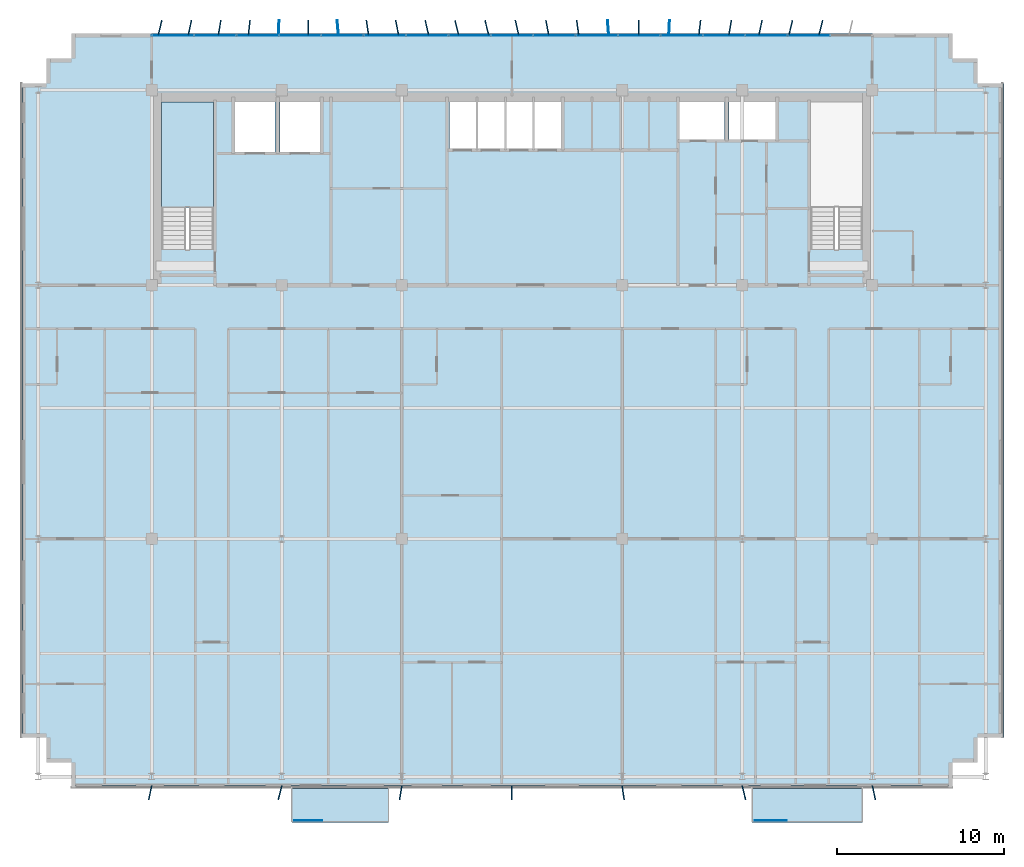
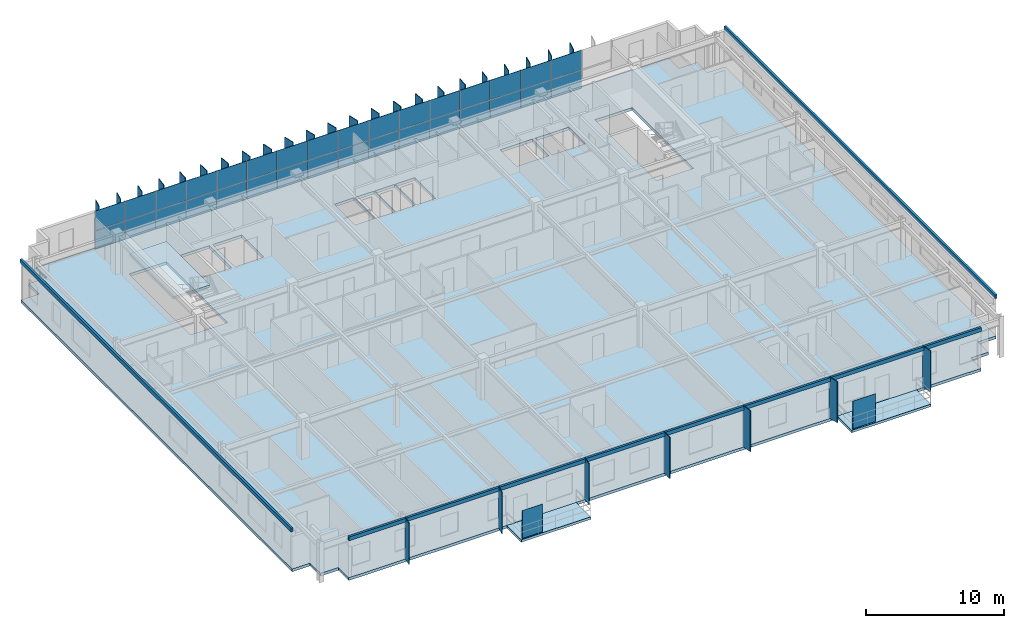
# One storey, part 13 of 21: 67 plates, 4 slabs, 2 elements without a shape of their own.
"""IFC4 building model written with IfcOpenShell, lengths in metres."""

from ifc_helpers import new_model, si_unit, direction, frame, origin, origin_2d, place, context, subcontext, project, spatial, polyline, rectangle, outline, extrude, source, transform, mapped, material, layer, layer_set, type_object, element, aggregate, save


model = new_model("IFC4")

# Units and contexts
model_context = context("Model", 3, precision=1e-05, world=origin(), true_north=direction((0.0, 1.0)))
body_context = subcontext(model_context, "Body", "Model", "MODEL_VIEW")
ifc_project = project(units=[si_unit("LENGTHUNIT", "METRE"), si_unit("AREAUNIT", "SQUARE_METRE"), si_unit("VOLUMEUNIT", "CUBIC_METRE"), si_unit("PLANEANGLEUNIT", "RADIAN"), si_unit("MASSUNIT", "GRAM", prefix="KILO")], contexts=[model_context])

# Site, building, storey
site_placement = place(None, origin())
site = spatial("IfcSite", under=ifc_project, at=site_placement, CompositionType="ELEMENT")
building_placement = place(site_placement, origin())
building = spatial("IfcBuilding", under=site, at=building_placement, Name="Trelvane Seafront Commons", CompositionType="ELEMENT")
storey_placement = place(building_placement, frame((0.0, 0.0, 160.89990234375)))
storey = spatial("IfcBuildingStorey", under=building, at=storey_placement, Name="L42", CompositionType="ELEMENT", Elevation=160.89990234375)

# Slabs
ifc_material_1 = material(Name="Concrete C40/50", Category="concrete")
ifc_layer_1 = layer(ifc_material_1, 0.219970703125, Name="ARCH-BALC-220")
ifc_layer_set_1 = layer_set([ifc_layer_1], Name="Concrete C40/50")
slab_type_1 = type_object("IfcSlabType", Name="ARCH-BALC-220", PredefinedType="FLOOR", material=ifc_layer_set_1)
slab_1_placement = place(storey_placement, frame((0.0, 0.0, -0.219970703125)))
element("IfcSlab", 1, at=slab_1_placement, inside=storey, type_object=slab_type_1, Name="L42 Cantilevered Tree Balcony Loggia 2", PredefinedType="FLOOR", context=body_context, shape_type="SweptSolid", body=[
    extrude(outline(polyline([(24.0, 1.199951171875), (29.800048828125, 1.199951171875), (29.800048828125, 3.300048828125), (24.0, 3.300048828125), (24.0, 1.199951171875)])), origin(), (0.0, 0.0, 1.0), 0.219970703125),
])
slab_2_placement = place(storey_placement, frame((0.0, 0.0, -0.219970703125)))
element("IfcSlab", 2, at=slab_2_placement, inside=storey, type_object=slab_type_1, Name="L42 Cantilevered Tree Balcony Loggia 3", PredefinedType="FLOOR", context=body_context, shape_type="SweptSolid", body=[
    extrude(outline(polyline([(51.60009765625, 1.199951171875), (58.199951171875, 1.199951171875), (58.199951171875, 3.300048828125), (51.60009765625, 3.300048828125), (51.60009765625, 1.199951171875)])), origin(), (0.0, 0.0, 1.0), 0.219970703125),
])

# Stair, slab
stair_type = type_object("IfcStairType", Name="ARCH-STR-ST-1-R20-180", PredefinedType="HALF_TURN_STAIR", material=ifc_material_1)
stair_placement = place(storey_placement, origin())
stair = element("IfcStair", 3, at=stair_placement, inside=storey, type_object=stair_type, Name="L42 West Protected Firefighting Exit Stair ST-1", PredefinedType="HALF_TURN_STAIR")
ifc_layer_2 = layer(ifc_material_1, 0.199951171875, Name="ARCH-LND-200")
ifc_layer_set_2 = layer_set([ifc_layer_2], Name="Concrete C40/50")
slab_type_2 = type_object("IfcSlabType", Name="ARCH-LND-200", PredefinedType="LANDING", material=ifc_layer_set_2)
slab_3_placement = place(storey_placement, frame((0.0, 0.0, 1.60009765625)))
slab_3 = element("IfcSlab", 4, at=slab_3_placement, type_object=slab_type_2, Name="ST-1 landing 1", PredefinedType="LANDING", context=body_context, shape_type="SweptSolid", body=[
    extrude(outline(polyline([(19.300048828125, 38.070068359375), (19.300048828125, 44.39990234375), (16.199951171875, 44.39990234375), (16.199951171875, 38.070068359375), (19.300048828125, 38.070068359375)])), origin(), (0.0, 0.0, 1.0), 0.199951171875),
])
aggregate(stair, [slab_3])

# Slab
ifc_material_2 = material(Name="Concrete C50/60", Category="concrete")
ifc_layer_3 = layer(ifc_material_2, 0.25, Name="STR-SLB-Z3-250")
ifc_layer_set_3 = layer_set([ifc_layer_3], Name="Concrete C50/60")
slab_type_3 = type_object("IfcSlabType", Name="STR-SLB-Z3-250", PredefinedType="FLOOR", material=ifc_layer_set_3)
slab_4_placement = place(storey_placement, frame((0.0, 0.0, -0.25)))
element("IfcSlab", 5, at=slab_4_placement, inside=storey, type_object=slab_type_3, Name="L42 Structural Floor Slab", PredefinedType="FLOOR", context=body_context, shape_type="SweptSolid", body=[
    extrude(outline(polyline([(10.800048828125, 3.300048828125), (63.60009765625, 3.300048828125), (63.60009765625, 4.800048828125), (65.10009765625, 4.800048828125), (65.10009765625, 6.300048828125), (66.60009765625, 6.300048828125), (66.60009765625, 45.5), (65.10009765625, 45.5), (65.10009765625, 47.0), (63.60009765625, 47.0), (63.60009765625, 48.5), (10.800048828125, 48.5), (10.800048828125, 47.0), (9.300048828125, 47.0), (9.300048828125, 45.5), (7.800048828125, 45.5), (7.800048828125, 6.300048828125), (9.300048828125, 6.300048828125), (9.300048828125, 4.800048828125), (10.800048828125, 4.800048828125), (10.800048828125, 3.300048828125)]), holes=[polyline([(19.300048828125, 35.550048828125), (16.199951171875, 35.550048828125), (16.199951171875, 44.39990234375), (19.300048828125, 44.39990234375), (19.300048828125, 35.550048828125)]), polyline([(58.199951171875, 35.550048828125), (55.10009765625, 35.550048828125), (55.10009765625, 44.39990234375), (58.199951171875, 44.39990234375), (58.199951171875, 35.550048828125)]), polyline([(23.0, 41.39990234375), (20.60009765625, 41.39990234375), (20.60009765625, 44.60009765625), (23.0, 44.60009765625), (23.0, 41.39990234375)]), polyline([(23.300048828125, 41.39990234375), (23.300048828125, 44.60009765625), (25.699951171875, 44.60009765625), (25.699951171875, 41.39990234375), (23.300048828125, 41.39990234375)]), polyline([(33.449951171875, 41.60009765625), (33.449951171875, 44.60009765625), (35.070068359375, 44.60009765625), (35.070068359375, 41.60009765625), (33.449951171875, 41.60009765625)]), polyline([(36.77001953125, 41.60009765625), (35.14990234375, 41.60009765625), (35.14990234375, 44.60009765625), (36.77001953125, 44.60009765625), (36.77001953125, 41.60009765625)]), polyline([(38.469970703125, 41.60009765625), (36.85009765625, 41.60009765625), (36.85009765625, 44.60009765625), (38.469970703125, 44.60009765625), (38.469970703125, 41.60009765625)]), polyline([(40.169921875, 41.60009765625), (38.550048828125, 41.60009765625), (38.550048828125, 44.60009765625), (40.169921875, 44.60009765625), (40.169921875, 41.60009765625)]), polyline([(47.25, 42.14990234375), (47.25, 44.550048828125), (49.949951171875, 44.550048828125), (49.949951171875, 42.14990234375), (47.25, 42.14990234375)]), polyline([(50.199951171875, 42.14990234375), (50.199951171875, 44.550048828125), (53.0, 44.550048828125), (53.0, 42.14990234375), (50.199951171875, 42.14990234375)])]), origin(), (0.0, 0.0, 1.0), 0.25),
])

# Plates
ifc_material_3 = material(Name="Perforated anodised aluminium screen", Category="aluminium")
ifc_layer_4 = layer(ifc_material_3, 0.01611328125, Name="ARCH-PLATE-SCREEN")
ifc_layer_set_4 = layer_set([ifc_layer_4], Name="Perforated anodised aluminium screen")
plate_type_1 = type_object("IfcPlateType", Name="ARCH-PLATE-SCREEN", PredefinedType="USERDEFINED", material=ifc_layer_set_4)
shared_shape_1 = source(origin(), body_context, "Body", "SweptSolid", [
    extrude(rectangle(XDim=1.9140625, YDim=0.01611328125, at=origin_2d()), origin(), (0.0, 0.0, 1.0), 2.449951171875),
])
plate_1_placement = place(storey_placement, frame((52.70703125, 1.320068359375, 0.0), z_axis=(0.0, 0.0, 1.0), x_axis=(1.0, 0.0, 0.0)))
element("IfcPlate", 6, at=plate_1_placement, inside=storey, type_object=plate_type_1, Name="SCR-L42-00154", ObjectType="SCREEN", PredefinedType="USERDEFINED", context=body_context, shape_type="MappedRepresentation", body=[
    mapped(shared_shape_1, transform((0.0, 0.0, 0.0), x_axis=(1.0, 0.0, 0.0), y_axis=(0.0, 1.0, 0.0), z_axis=(0.0, 0.0, 1.0), scale=1.0)),
])
shared_shape_2 = source(origin(), body_context, "Body", "SweptSolid", [
    extrude(rectangle(XDim=1.681884765625, YDim=0.01611328125, at=origin_2d()), origin(), (0.0, 0.0, 1.0), 2.449951171875),
])
plate_2_placement = place(storey_placement, frame((24.990966796875, 1.320068359375, 0.0), z_axis=(0.0, 0.0, 1.0), x_axis=(1.0, 0.0, 0.0)))
element("IfcPlate", 7, at=plate_2_placement, inside=storey, type_object=plate_type_1, Name="SCR-L42-00153", ObjectType="SCREEN", PredefinedType="USERDEFINED", context=body_context, shape_type="MappedRepresentation", body=[
    mapped(shared_shape_2, transform((0.0, 0.0, 0.0), x_axis=(1.0, 0.0, 0.0), y_axis=(0.0, 1.0, 0.0), z_axis=(0.0, 0.0, 1.0), scale=1.0)),
])
ifc_material_4 = material(Name="Anodised pale-silver aluminium", Category="aluminium")
ifc_layer_5 = layer(ifc_material_4, 0.06005859375, Name="ARCH-PLATE-FIN900")
ifc_layer_set_5 = layer_set([ifc_layer_5], Name="Anodised pale-silver aluminium")
plate_type_2 = type_object("IfcPlateType", Name="ARCH-PLATE-FIN900", PredefinedType="USERDEFINED", material=ifc_layer_set_5)
shared_shape_3 = source(origin(), body_context, "Body", "SweptSolid", [
    extrude(rectangle(XDim=0.89990234375, YDim=0.06005859375, at=origin_2d()), origin(), (0.0, 0.0, 1.0), 3.639892578125),
])
for number, where, z_axis, x_axis, name in (
    (8, (16.1044921875, 48.837646484375, -0.02001953125), (0.0, 0.0, 1.0), (0.232326817057, 0.972637779482, 0.0), "FIN-L42-01154"),
    (9, (17.892578125, 48.84033203125, -0.02001953125), (0.0, 0.0, 1.0), (0.205657650751, 0.978623998626, 0.0), "FIN-L42-01155"),
    (10, (21.44921875, 48.847412109375, -0.02001953125), (0.0, 0.0, 1.0), (0.109442861804, 0.993993088507, 0.0), "FIN-L42-01157"),
    (11, (23.220947265625, 48.849609375, -0.02001953125), (0.0, 0.0, 1.0), (0.046667111455, 0.998910496846, 0.0), "FIN-L42-01158"),
    (12, (24.9912109375, 48.849853515625, -0.02001953125), (0.0, 0.0, 1.0), (-0.019778526658, 0.999804385809, 0.0), "FIN-L42-01159"),
    (13, (26.761962890625, 48.848388671875, -0.02001953125), (0.0, 0.0, 1.0), (-0.084663933212, 0.99640956359, 0.0), "FIN-L42-01160"),
    (14, (28.53564453125, 48.845458984375, -0.02001953125), (0.0, 0.0, 1.0), (-0.142991696053, 0.989723888193, 0.0), "FIN-L42-01161"),
    (15, (30.314208984375, 48.841796875, -0.02001953125), (0.0, 0.0, 1.0), (-0.190342966455, 0.9817176555, 0.0), "FIN-L42-01162"),
    (16, (32.099609375, 48.838623046875, -0.02001953125), (0.0, 0.0, 1.0), (-0.223455965817, 0.974714025415, 0.0), "FIN-L42-01163"),
    (17, (33.89208984375, 48.8369140625, -0.02001953125), (0.0, 0.0, 1.0), (-0.240104362477, 0.970747080922, 0.0), "FIN-L42-01164"),
    (18, (37.50048828125, 48.8388671875, -0.02001953125), (0.0, 0.0, 1.0), (-0.221010645637, 0.975271395313, 0.0), "FIN-L42-01166"),
    (19, (39.316162109375, 48.842041015625, -0.02001953125), (0.0, 0.0, 1.0), (-0.186448588684, 0.982464718846, 0.0), "FIN-L42-01167"),
    (20, (41.137939453125, 48.845703125, -0.02001953125), (0.0, 0.0, 1.0), (-0.137888824837, 0.990447712898, 0.0), "FIN-L42-01168"),
    (21, (42.964599609375, 48.8486328125, -0.02001953125), (0.0, 0.0, 1.0), (-0.078777502385, 0.996892223421, 0.0), "FIN-L42-01169"),
    (22, (44.7939453125, 48.849853515625, -0.02001953125), (0.0, 0.0, 1.0), (-0.01355555712, 0.999908119215, 0.0), "FIN-L42-01170"),
    (23, (46.623779296875, 48.849365234375, -0.02001953125), (0.0, 0.0, 1.0), (0.052780400066, 0.998606143266, 0.0), "FIN-L42-01171"),
    (24, (48.45166015625, 48.846923828125, -0.02001953125), (0.0, 0.0, 1.0), (0.11489380632, 0.993377779734, 0.0), "FIN-L42-01172"),
    (25, (50.275634765625, 48.843505859375, -0.02001953125), (0.0, 0.0, 1.0), (0.168217553581, 0.985749894581, 0.0), "FIN-L42-01173"),
    (26, (53.9052734375, 48.83740234375, -0.02001953125), (0.0, 0.0, 1.0), (0.233898465705, 0.972261028603, 0.0), "FIN-L42-01175"),
    (27, (55.708740234375, 48.836669921875, -0.02001953125), (0.0, 0.0, 1.0), (0.241881251735, 0.970305859025, 0.0), "FIN-L42-01176"),
):
    element("IfcPlate", number, at=place(storey_placement, frame(where, z_axis=z_axis, x_axis=x_axis)), inside=storey, type_object=plate_type_2, Name=name, ObjectType="FIN", PredefinedType="USERDEFINED", context=body_context, shape_type="MappedRepresentation", body=[
        mapped(shared_shape_3, transform((0.0, 0.0, 0.0), x_axis=(1.0, 0.0, 0.0), y_axis=(0.0, 1.0, 0.0), z_axis=(0.0, 0.0, 1.0), scale=1.0)),
    ])
shared_shape_4 = source(origin(), body_context, "Body", "SweptSolid", [
    extrude(rectangle(XDim=0.900146484375, YDim=0.06005859375, at=origin_2d()), origin(), (0.0, 0.0, 1.0), 3.639892578125),
])
for number, where, z_axis, x_axis, name in (
    (28, (19.673583984375, 48.843994140625, -0.02001953125), (0.0, 0.0, 1.0), (0.163768472362, 0.986498802564, 0.0), "FIN-L42-01156"),
    (29, (35.6923828125, 48.8369140625, -0.02001953125), (0.0, 0.0, 1.0), (-0.239318141029, 0.970941206961, 0.0), "FIN-L42-01165"),
    (30, (52.093994140625, 48.840087890625, -0.02001953125), (0.0, 0.0, 1.0), (0.208876151709, 0.977942101173, 0.0), "FIN-L42-01174"),
):
    element("IfcPlate", number, at=place(storey_placement, frame(where, z_axis=z_axis, x_axis=x_axis)), inside=storey, type_object=plate_type_2, Name=name, ObjectType="FIN", PredefinedType="USERDEFINED", context=body_context, shape_type="MappedRepresentation", body=[
        mapped(shared_shape_4, transform((0.0, 0.0, 0.0), x_axis=(1.0, 0.0, 0.0), y_axis=(0.0, 1.0, 0.0), z_axis=(0.0, 0.0, 1.0), scale=1.0)),
    ])
shared_shape_5 = source(origin(), body_context, "Body", "SweptSolid", [
    extrude(rectangle(XDim=0.85009765625, YDim=0.06005859375, at=origin_2d()), origin(), (0.0, 0.0, 1.0), 3.639892578125),
])
for number, where, z_axis, x_axis, name in (
    (31, (15.513916015625, 2.98388671875, -0.02001953125), (0.0, 0.0, 1.0), (-0.20235659107, -0.979311906417, 0.0), "FIN-S-L42-01178"),
    (32, (23.2978515625, 2.9873046875, -0.02001953125), (0.0, 0.0, 1.0), (-0.240348330243, -0.970686705456, 0.0), "FIN-S-L42-01179"),
    (33, (30.529052734375, 2.98095703125, -0.02001953125), (0.0, 0.0, 1.0), (-0.166822093991, -0.98598701257, 0.0), "FIN-S-L42-01180"),
    (34, (37.194091796875, 2.97509765625, -0.02001953125), (0.0, 0.0, 1.0), (-0.013529379582, -0.999908473756, 0.0), "FIN-S-L42-01181"),
    (35, (43.862060546875, 2.9794921875, -0.02001953125), (0.0, 0.0, 1.0), (0.146228061891, -0.989250905441, 0.0), "FIN-S-L42-01182"),
    (36, (51.100341796875, 2.987060546875, -0.02001953125), (0.0, 0.0, 1.0), (0.235886760081, -0.971780549516, 0.0), "FIN-S-L42-01183"),
    (37, (58.8916015625, 2.985107421875, -0.02001953125), (0.0, 0.0, 1.0), (0.215759682277, -0.976446495976, 0.0), "FIN-S-L42-01184"),
):
    element("IfcPlate", number, at=place(storey_placement, frame(where, z_axis=z_axis, x_axis=x_axis)), inside=storey, type_object=plate_type_2, Name=name, ObjectType="FIN", PredefinedType="USERDEFINED", context=body_context, shape_type="MappedRepresentation", body=[
        mapped(shared_shape_5, transform((0.0, 0.0, 0.0), x_axis=(1.0, 0.0, 0.0), y_axis=(0.0, 1.0, 0.0), z_axis=(0.0, 0.0, 1.0), scale=1.0)),
    ])

# Curtain wall, plates
curtain_wall_type = type_object("IfcCurtainWallType", Name="ARCH-CW5-UPTOWER", PredefinedType="NOTDEFINED", material=ifc_material_4)
curtain_wall_placement = place(storey_placement, origin())
curtain_wall = element("IfcCurtainWall", 38, at=curtain_wall_placement, inside=storey, type_object=curtain_wall_type, Name="CW-L42-0069", PredefinedType="NOTDEFINED")
ifc_material_5 = material(Name="Low-E coastal double glazing", Category="glass")
ifc_layer_6 = layer(ifc_material_5, 0.033935546875, Name="ARCH-CW-GLAZ-34")
ifc_layer_set_6 = layer_set([ifc_layer_6], Name="Low-E coastal double glazing")
plate_type_3 = type_object("IfcPlateType", Name="ARCH-CW-GLAZ-34", PredefinedType="CURTAIN_PANEL", material=ifc_layer_set_6)
shared_shape_6 = source(origin(), body_context, "Body", "SweptSolid", [
    extrude(rectangle(XDim=2.51708984375, YDim=0.033935546875, at=origin_2d()), origin(), (0.0, 0.0, 1.0), 1.590087890625),
])
plate_3_placement = place(storey_placement, frame((16.87060546875, 48.3701171875, 0.0), z_axis=(0.0, 0.0, 1.0), x_axis=(1.0, 0.0, 0.0)))
plate_3 = element("IfcPlate", 39, at=plate_3_placement, type_object=plate_type_3, Name="CW-L42-0069-P00-1", PredefinedType="CURTAIN_PANEL", context=body_context, shape_type="MappedRepresentation", body=[
    mapped(shared_shape_6, transform((0.0, 0.0, 0.0), x_axis=(1.0, 0.0, 0.0), y_axis=(0.0, 1.0, 0.0), z_axis=(0.0, 0.0, 1.0), scale=1.0)),
])
plate_4_placement = place(storey_placement, frame((19.411865234375, 48.3701171875, 0.0), z_axis=(0.0, 0.0, 1.0), x_axis=(1.0, 0.0, 0.0)))
plate_4 = element("IfcPlate", 40, at=plate_4_placement, type_object=plate_type_3, Name="CW-L42-0069-P01-1", PredefinedType="CURTAIN_PANEL", context=body_context, shape_type="MappedRepresentation", body=[
    mapped(shared_shape_6, transform((0.0, 0.0, 0.0), x_axis=(1.0, 0.0, 0.0), y_axis=(0.0, 1.0, 0.0), z_axis=(0.0, 0.0, 1.0), scale=1.0)),
])
plate_5_placement = place(storey_placement, frame((21.952880859375, 48.3701171875, 0.0), z_axis=(0.0, 0.0, 1.0), x_axis=(1.0, 0.0, 0.0)))
plate_5 = element("IfcPlate", 41, at=plate_5_placement, type_object=plate_type_3, Name="CW-L42-0069-P02-1", PredefinedType="CURTAIN_PANEL", context=body_context, shape_type="MappedRepresentation", body=[
    mapped(shared_shape_6, transform((0.0, 0.0, 0.0), x_axis=(1.0, 0.0, 0.0), y_axis=(0.0, 1.0, 0.0), z_axis=(0.0, 0.0, 1.0), scale=1.0)),
])
plate_6_placement = place(storey_placement, frame((24.494140625, 48.3701171875, 0.0), z_axis=(0.0, 0.0, 1.0), x_axis=(1.0, 0.0, 0.0)))
plate_6 = element("IfcPlate", 42, at=plate_6_placement, type_object=plate_type_3, Name="CW-L42-0069-P03-1", PredefinedType="CURTAIN_PANEL", context=body_context, shape_type="MappedRepresentation", body=[
    mapped(shared_shape_6, transform((0.0, 0.0, 0.0), x_axis=(1.0, 0.0, 0.0), y_axis=(0.0, 1.0, 0.0), z_axis=(0.0, 0.0, 1.0), scale=1.0)),
])
plate_7_placement = place(storey_placement, frame((27.035400390625, 48.3701171875, 0.0), z_axis=(0.0, 0.0, 1.0), x_axis=(1.0, 0.0, 0.0)))
plate_7 = element("IfcPlate", 43, at=plate_7_placement, type_object=plate_type_3, Name="CW-L42-0069-P04-1", PredefinedType="CURTAIN_PANEL", context=body_context, shape_type="MappedRepresentation", body=[
    mapped(shared_shape_6, transform((0.0, 0.0, 0.0), x_axis=(1.0, 0.0, 0.0), y_axis=(0.0, 1.0, 0.0), z_axis=(0.0, 0.0, 1.0), scale=1.0)),
])
plate_8_placement = place(storey_placement, frame((29.576416015625, 48.3701171875, 0.0), z_axis=(0.0, 0.0, 1.0), x_axis=(1.0, 0.0, 0.0)))
plate_8 = element("IfcPlate", 44, at=plate_8_placement, type_object=plate_type_3, Name="CW-L42-0069-P05-1", PredefinedType="CURTAIN_PANEL", context=body_context, shape_type="MappedRepresentation", body=[
    mapped(shared_shape_6, transform((0.0, 0.0, 0.0), x_axis=(1.0, 0.0, 0.0), y_axis=(0.0, 1.0, 0.0), z_axis=(0.0, 0.0, 1.0), scale=1.0)),
])
plate_9_placement = place(storey_placement, frame((32.11767578125, 48.3701171875, 0.0), z_axis=(0.0, 0.0, 1.0), x_axis=(1.0, 0.0, 0.0)))
plate_9 = element("IfcPlate", 45, at=plate_9_placement, type_object=plate_type_3, Name="CW-L42-0069-P06-1", PredefinedType="CURTAIN_PANEL", context=body_context, shape_type="MappedRepresentation", body=[
    mapped(shared_shape_6, transform((0.0, 0.0, 0.0), x_axis=(1.0, 0.0, 0.0), y_axis=(0.0, 1.0, 0.0), z_axis=(0.0, 0.0, 1.0), scale=1.0)),
])
plate_10_placement = place(storey_placement, frame((34.65869140625, 48.3701171875, 0.0), z_axis=(0.0, 0.0, 1.0), x_axis=(1.0, 0.0, 0.0)))
plate_10 = element("IfcPlate", 46, at=plate_10_placement, type_object=plate_type_3, Name="CW-L42-0069-P07-1", PredefinedType="CURTAIN_PANEL", context=body_context, shape_type="MappedRepresentation", body=[
    mapped(shared_shape_6, transform((0.0, 0.0, 0.0), x_axis=(1.0, 0.0, 0.0), y_axis=(0.0, 1.0, 0.0), z_axis=(0.0, 0.0, 1.0), scale=1.0)),
])
plate_11_placement = place(storey_placement, frame((37.199951171875, 48.3701171875, 0.0), z_axis=(0.0, 0.0, 1.0), x_axis=(1.0, 0.0, 0.0)))
plate_11 = element("IfcPlate", 47, at=plate_11_placement, type_object=plate_type_3, Name="CW-L42-0069-P08-1", PredefinedType="CURTAIN_PANEL", context=body_context, shape_type="MappedRepresentation", body=[
    mapped(shared_shape_6, transform((0.0, 0.0, 0.0), x_axis=(1.0, 0.0, 0.0), y_axis=(0.0, 1.0, 0.0), z_axis=(0.0, 0.0, 1.0), scale=1.0)),
])
plate_12_placement = place(storey_placement, frame((39.7412109375, 48.3701171875, 0.0), z_axis=(0.0, 0.0, 1.0), x_axis=(1.0, 0.0, 0.0)))
plate_12 = element("IfcPlate", 48, at=plate_12_placement, type_object=plate_type_3, Name="CW-L42-0069-P09-1", PredefinedType="CURTAIN_PANEL", context=body_context, shape_type="MappedRepresentation", body=[
    mapped(shared_shape_6, transform((0.0, 0.0, 0.0), x_axis=(1.0, 0.0, 0.0), y_axis=(0.0, 1.0, 0.0), z_axis=(0.0, 0.0, 1.0), scale=1.0)),
])
plate_13_placement = place(storey_placement, frame((42.282470703125, 48.3701171875, 0.0), z_axis=(0.0, 0.0, 1.0), x_axis=(1.0, 0.0, 0.0)))
plate_13 = element("IfcPlate", 49, at=plate_13_placement, type_object=plate_type_3, Name="CW-L42-0069-P10-1", PredefinedType="CURTAIN_PANEL", context=body_context, shape_type="MappedRepresentation", body=[
    mapped(shared_shape_6, transform((0.0, 0.0, 0.0), x_axis=(1.0, 0.0, 0.0), y_axis=(0.0, 1.0, 0.0), z_axis=(0.0, 0.0, 1.0), scale=1.0)),
])
plate_14_placement = place(storey_placement, frame((44.823486328125, 48.3701171875, 0.0), z_axis=(0.0, 0.0, 1.0), x_axis=(1.0, 0.0, 0.0)))
plate_14 = element("IfcPlate", 50, at=plate_14_placement, type_object=plate_type_3, Name="CW-L42-0069-P11-1", PredefinedType="CURTAIN_PANEL", context=body_context, shape_type="MappedRepresentation", body=[
    mapped(shared_shape_6, transform((0.0, 0.0, 0.0), x_axis=(1.0, 0.0, 0.0), y_axis=(0.0, 1.0, 0.0), z_axis=(0.0, 0.0, 1.0), scale=1.0)),
])
plate_15_placement = place(storey_placement, frame((47.36474609375, 48.3701171875, 0.0), z_axis=(0.0, 0.0, 1.0), x_axis=(1.0, 0.0, 0.0)))
plate_15 = element("IfcPlate", 51, at=plate_15_placement, type_object=plate_type_3, Name="CW-L42-0069-P12-1", PredefinedType="CURTAIN_PANEL", context=body_context, shape_type="MappedRepresentation", body=[
    mapped(shared_shape_6, transform((0.0, 0.0, 0.0), x_axis=(1.0, 0.0, 0.0), y_axis=(0.0, 1.0, 0.0), z_axis=(0.0, 0.0, 1.0), scale=1.0)),
])
plate_16_placement = place(storey_placement, frame((49.906005859375, 48.3701171875, 0.0), z_axis=(0.0, 0.0, 1.0), x_axis=(1.0, 0.0, 0.0)))
plate_16 = element("IfcPlate", 52, at=plate_16_placement, type_object=plate_type_3, Name="CW-L42-0069-P13-1", PredefinedType="CURTAIN_PANEL", context=body_context, shape_type="MappedRepresentation", body=[
    mapped(shared_shape_6, transform((0.0, 0.0, 0.0), x_axis=(1.0, 0.0, 0.0), y_axis=(0.0, 1.0, 0.0), z_axis=(0.0, 0.0, 1.0), scale=1.0)),
])
plate_17_placement = place(storey_placement, frame((52.447021484375, 48.3701171875, 0.0), z_axis=(0.0, 0.0, 1.0), x_axis=(1.0, 0.0, 0.0)))
plate_17 = element("IfcPlate", 53, at=plate_17_placement, type_object=plate_type_3, Name="CW-L42-0069-P14-1", PredefinedType="CURTAIN_PANEL", context=body_context, shape_type="MappedRepresentation", body=[
    mapped(shared_shape_6, transform((0.0, 0.0, 0.0), x_axis=(1.0, 0.0, 0.0), y_axis=(0.0, 1.0, 0.0), z_axis=(0.0, 0.0, 1.0), scale=1.0)),
])
plate_18_placement = place(storey_placement, frame((54.98828125, 48.3701171875, 0.0), z_axis=(0.0, 0.0, 1.0), x_axis=(1.0, 0.0, 0.0)))
plate_18 = element("IfcPlate", 54, at=plate_18_placement, type_object=plate_type_3, Name="CW-L42-0069-P15-1", PredefinedType="CURTAIN_PANEL", context=body_context, shape_type="MappedRepresentation", body=[
    mapped(shared_shape_6, transform((0.0, 0.0, 0.0), x_axis=(1.0, 0.0, 0.0), y_axis=(0.0, 1.0, 0.0), z_axis=(0.0, 0.0, 1.0), scale=1.0)),
])
shared_shape_7 = source(origin(), body_context, "Body", "SweptSolid", [
    extrude(rectangle(XDim=2.51708984375, YDim=0.033935546875, at=origin_2d()), origin(), (0.0, 0.0, 1.0), 1.72412109375),
])
plate_19_placement = place(storey_placement, frame((16.87060546875, 48.3701171875, 1.6259765625), z_axis=(0.0, 0.0, 1.0), x_axis=(1.0, 0.0, 0.0)))
plate_19 = element("IfcPlate", 55, at=plate_19_placement, type_object=plate_type_3, Name="CW-L42-0069-P00-2", PredefinedType="CURTAIN_PANEL", context=body_context, shape_type="MappedRepresentation", body=[
    mapped(shared_shape_7, transform((0.0, 0.0, 0.0), x_axis=(1.0, 0.0, 0.0), y_axis=(0.0, 1.0, 0.0), z_axis=(0.0, 0.0, 1.0), scale=1.0)),
])
plate_20_placement = place(storey_placement, frame((19.411865234375, 48.3701171875, 1.6259765625), z_axis=(0.0, 0.0, 1.0), x_axis=(1.0, 0.0, 0.0)))
plate_20 = element("IfcPlate", 56, at=plate_20_placement, type_object=plate_type_3, Name="CW-L42-0069-P01-2", PredefinedType="CURTAIN_PANEL", context=body_context, shape_type="MappedRepresentation", body=[
    mapped(shared_shape_7, transform((0.0, 0.0, 0.0), x_axis=(1.0, 0.0, 0.0), y_axis=(0.0, 1.0, 0.0), z_axis=(0.0, 0.0, 1.0), scale=1.0)),
])
plate_21_placement = place(storey_placement, frame((21.952880859375, 48.3701171875, 1.6259765625), z_axis=(0.0, 0.0, 1.0), x_axis=(1.0, 0.0, 0.0)))
plate_21 = element("IfcPlate", 57, at=plate_21_placement, type_object=plate_type_3, Name="CW-L42-0069-P02-2", PredefinedType="CURTAIN_PANEL", context=body_context, shape_type="MappedRepresentation", body=[
    mapped(shared_shape_7, transform((0.0, 0.0, 0.0), x_axis=(1.0, 0.0, 0.0), y_axis=(0.0, 1.0, 0.0), z_axis=(0.0, 0.0, 1.0), scale=1.0)),
])
plate_22_placement = place(storey_placement, frame((24.494140625, 48.3701171875, 1.6259765625), z_axis=(0.0, 0.0, 1.0), x_axis=(1.0, 0.0, 0.0)))
plate_22 = element("IfcPlate", 58, at=plate_22_placement, type_object=plate_type_3, Name="CW-L42-0069-P03-2", PredefinedType="CURTAIN_PANEL", context=body_context, shape_type="MappedRepresentation", body=[
    mapped(shared_shape_7, transform((0.0, 0.0, 0.0), x_axis=(1.0, 0.0, 0.0), y_axis=(0.0, 1.0, 0.0), z_axis=(0.0, 0.0, 1.0), scale=1.0)),
])
plate_23_placement = place(storey_placement, frame((27.035400390625, 48.3701171875, 1.6259765625), z_axis=(0.0, 0.0, 1.0), x_axis=(1.0, 0.0, 0.0)))
plate_23 = element("IfcPlate", 59, at=plate_23_placement, type_object=plate_type_3, Name="CW-L42-0069-P04-2", PredefinedType="CURTAIN_PANEL", context=body_context, shape_type="MappedRepresentation", body=[
    mapped(shared_shape_7, transform((0.0, 0.0, 0.0), x_axis=(1.0, 0.0, 0.0), y_axis=(0.0, 1.0, 0.0), z_axis=(0.0, 0.0, 1.0), scale=1.0)),
])
plate_24_placement = place(storey_placement, frame((29.576416015625, 48.3701171875, 1.6259765625), z_axis=(0.0, 0.0, 1.0), x_axis=(1.0, 0.0, 0.0)))
plate_24 = element("IfcPlate", 60, at=plate_24_placement, type_object=plate_type_3, Name="CW-L42-0069-P05-2", PredefinedType="CURTAIN_PANEL", context=body_context, shape_type="MappedRepresentation", body=[
    mapped(shared_shape_7, transform((0.0, 0.0, 0.0), x_axis=(1.0, 0.0, 0.0), y_axis=(0.0, 1.0, 0.0), z_axis=(0.0, 0.0, 1.0), scale=1.0)),
])
plate_25_placement = place(storey_placement, frame((32.11767578125, 48.3701171875, 1.6259765625), z_axis=(0.0, 0.0, 1.0), x_axis=(1.0, 0.0, 0.0)))
plate_25 = element("IfcPlate", 61, at=plate_25_placement, type_object=plate_type_3, Name="CW-L42-0069-P06-2", PredefinedType="CURTAIN_PANEL", context=body_context, shape_type="MappedRepresentation", body=[
    mapped(shared_shape_7, transform((0.0, 0.0, 0.0), x_axis=(1.0, 0.0, 0.0), y_axis=(0.0, 1.0, 0.0), z_axis=(0.0, 0.0, 1.0), scale=1.0)),
])
plate_26_placement = place(storey_placement, frame((34.65869140625, 48.3701171875, 1.6259765625), z_axis=(0.0, 0.0, 1.0), x_axis=(1.0, 0.0, 0.0)))
plate_26 = element("IfcPlate", 62, at=plate_26_placement, type_object=plate_type_3, Name="CW-L42-0069-P07-2", PredefinedType="CURTAIN_PANEL", context=body_context, shape_type="MappedRepresentation", body=[
    mapped(shared_shape_7, transform((0.0, 0.0, 0.0), x_axis=(1.0, 0.0, 0.0), y_axis=(0.0, 1.0, 0.0), z_axis=(0.0, 0.0, 1.0), scale=1.0)),
])
plate_27_placement = place(storey_placement, frame((37.199951171875, 48.3701171875, 1.6259765625), z_axis=(0.0, 0.0, 1.0), x_axis=(1.0, 0.0, 0.0)))
plate_27 = element("IfcPlate", 63, at=plate_27_placement, type_object=plate_type_3, Name="CW-L42-0069-P08-2", PredefinedType="CURTAIN_PANEL", context=body_context, shape_type="MappedRepresentation", body=[
    mapped(shared_shape_7, transform((0.0, 0.0, 0.0), x_axis=(1.0, 0.0, 0.0), y_axis=(0.0, 1.0, 0.0), z_axis=(0.0, 0.0, 1.0), scale=1.0)),
])
plate_28_placement = place(storey_placement, frame((39.7412109375, 48.3701171875, 1.6259765625), z_axis=(0.0, 0.0, 1.0), x_axis=(1.0, 0.0, 0.0)))
plate_28 = element("IfcPlate", 64, at=plate_28_placement, type_object=plate_type_3, Name="CW-L42-0069-P09-2", PredefinedType="CURTAIN_PANEL", context=body_context, shape_type="MappedRepresentation", body=[
    mapped(shared_shape_7, transform((0.0, 0.0, 0.0), x_axis=(1.0, 0.0, 0.0), y_axis=(0.0, 1.0, 0.0), z_axis=(0.0, 0.0, 1.0), scale=1.0)),
])
plate_29_placement = place(storey_placement, frame((42.282470703125, 48.3701171875, 1.6259765625), z_axis=(0.0, 0.0, 1.0), x_axis=(1.0, 0.0, 0.0)))
plate_29 = element("IfcPlate", 65, at=plate_29_placement, type_object=plate_type_3, Name="CW-L42-0069-P10-2", PredefinedType="CURTAIN_PANEL", context=body_context, shape_type="MappedRepresentation", body=[
    mapped(shared_shape_7, transform((0.0, 0.0, 0.0), x_axis=(1.0, 0.0, 0.0), y_axis=(0.0, 1.0, 0.0), z_axis=(0.0, 0.0, 1.0), scale=1.0)),
])
plate_30_placement = place(storey_placement, frame((44.823486328125, 48.3701171875, 1.6259765625), z_axis=(0.0, 0.0, 1.0), x_axis=(1.0, 0.0, 0.0)))
plate_30 = element("IfcPlate", 66, at=plate_30_placement, type_object=plate_type_3, Name="CW-L42-0069-P11-2", PredefinedType="CURTAIN_PANEL", context=body_context, shape_type="MappedRepresentation", body=[
    mapped(shared_shape_7, transform((0.0, 0.0, 0.0), x_axis=(1.0, 0.0, 0.0), y_axis=(0.0, 1.0, 0.0), z_axis=(0.0, 0.0, 1.0), scale=1.0)),
])
plate_31_placement = place(storey_placement, frame((47.36474609375, 48.3701171875, 1.6259765625), z_axis=(0.0, 0.0, 1.0), x_axis=(1.0, 0.0, 0.0)))
plate_31 = element("IfcPlate", 67, at=plate_31_placement, type_object=plate_type_3, Name="CW-L42-0069-P12-2", PredefinedType="CURTAIN_PANEL", context=body_context, shape_type="MappedRepresentation", body=[
    mapped(shared_shape_7, transform((0.0, 0.0, 0.0), x_axis=(1.0, 0.0, 0.0), y_axis=(0.0, 1.0, 0.0), z_axis=(0.0, 0.0, 1.0), scale=1.0)),
])
plate_32_placement = place(storey_placement, frame((49.906005859375, 48.3701171875, 1.6259765625), z_axis=(0.0, 0.0, 1.0), x_axis=(1.0, 0.0, 0.0)))
plate_32 = element("IfcPlate", 68, at=plate_32_placement, type_object=plate_type_3, Name="CW-L42-0069-P13-2", PredefinedType="CURTAIN_PANEL", context=body_context, shape_type="MappedRepresentation", body=[
    mapped(shared_shape_7, transform((0.0, 0.0, 0.0), x_axis=(1.0, 0.0, 0.0), y_axis=(0.0, 1.0, 0.0), z_axis=(0.0, 0.0, 1.0), scale=1.0)),
])
plate_33_placement = place(storey_placement, frame((52.447021484375, 48.3701171875, 1.6259765625), z_axis=(0.0, 0.0, 1.0), x_axis=(1.0, 0.0, 0.0)))
plate_33 = element("IfcPlate", 69, at=plate_33_placement, type_object=plate_type_3, Name="CW-L42-0069-P14-2", PredefinedType="CURTAIN_PANEL", context=body_context, shape_type="MappedRepresentation", body=[
    mapped(shared_shape_7, transform((0.0, 0.0, 0.0), x_axis=(1.0, 0.0, 0.0), y_axis=(0.0, 1.0, 0.0), z_axis=(0.0, 0.0, 1.0), scale=1.0)),
])
plate_34_placement = place(storey_placement, frame((54.98828125, 48.3701171875, 1.6259765625), z_axis=(0.0, 0.0, 1.0), x_axis=(1.0, 0.0, 0.0)))
plate_34 = element("IfcPlate", 70, at=plate_34_placement, type_object=plate_type_3, Name="CW-L42-0069-P15-2", PredefinedType="CURTAIN_PANEL", context=body_context, shape_type="MappedRepresentation", body=[
    mapped(shared_shape_7, transform((0.0, 0.0, 0.0), x_axis=(1.0, 0.0, 0.0), y_axis=(0.0, 1.0, 0.0), z_axis=(0.0, 0.0, 1.0), scale=1.0)),
])
aggregate(curtain_wall, [plate_3, plate_19, plate_4, plate_20, plate_5, plate_21, plate_6, plate_22, plate_7, plate_23, plate_8, plate_24, plate_9, plate_25, plate_10, plate_26, plate_11, plate_27, plate_12, plate_28, plate_13, plate_29, plate_14, plate_30, plate_15, plate_31, plate_16, plate_32, plate_17, plate_33, plate_18, plate_34])

# Plates
ifc_layer_7 = layer(ifc_material_4, 0.179931640625, Name="ARCH-PLATE-AERO")
ifc_layer_set_7 = layer_set([ifc_layer_7], Name="Anodised pale-silver aluminium")
plate_type_4 = type_object("IfcPlateType", Name="ARCH-PLATE-AERO", PredefinedType="SHEET", material=ifc_layer_set_7)
shared_shape_8 = source(origin(), body_context, "Body", "SweptSolid", [
    extrude(rectangle(XDim=39.199951171875, YDim=0.179931640625, at=origin_2d()), origin(), (0.0, 0.0, 1.0), 0.330078125),
])
for number, where, z_axis, x_axis, name in (
    (71, (7.800048828125, 25.89990234375, 3.2900390625), (0.0, 0.0, 1.0), (0.0, 1.0, 0.0), "AER-L42-00151"),
    (72, (66.60009765625, 25.89990234375, 3.2900390625), (0.0, 0.0, 1.0), (0.0, -1.0, 0.0), "AER-L42-00152"),
):
    element("IfcPlate", number, at=place(storey_placement, frame(where, z_axis=z_axis, x_axis=x_axis)), inside=storey, type_object=plate_type_4, Name=name, PredefinedType="SHEET", context=body_context, shape_type="MappedRepresentation", body=[
        mapped(shared_shape_8, transform((0.0, 0.0, 0.0), x_axis=(1.0, 0.0, 0.0), y_axis=(0.0, 1.0, 0.0), z_axis=(0.0, 0.0, 1.0), scale=1.0)),
    ])
shared_shape_9 = source(origin(), body_context, "Body", "SweptSolid", [
    extrude(rectangle(XDim=52.800048828125, YDim=0.179931640625, at=origin_2d()), origin(), (0.0, 0.0, 1.0), 0.330078125),
])
plate_35_placement = place(storey_placement, frame((37.199951171875, 3.340087890625, 3.2900390625), z_axis=(0.0, 0.0, 1.0), x_axis=(-1.0, 0.0, 0.0)))
element("IfcPlate", 73, at=plate_35_placement, inside=storey, type_object=plate_type_4, Name="AER-S-L42-00155", PredefinedType="SHEET", context=body_context, shape_type="MappedRepresentation", body=[
    mapped(shared_shape_9, transform((0.0, 0.0, 0.0), x_axis=(1.0, 0.0, 0.0), y_axis=(0.0, 1.0, 0.0), z_axis=(0.0, 0.0, 1.0), scale=1.0)),
])

save(model, "model.ifc")
